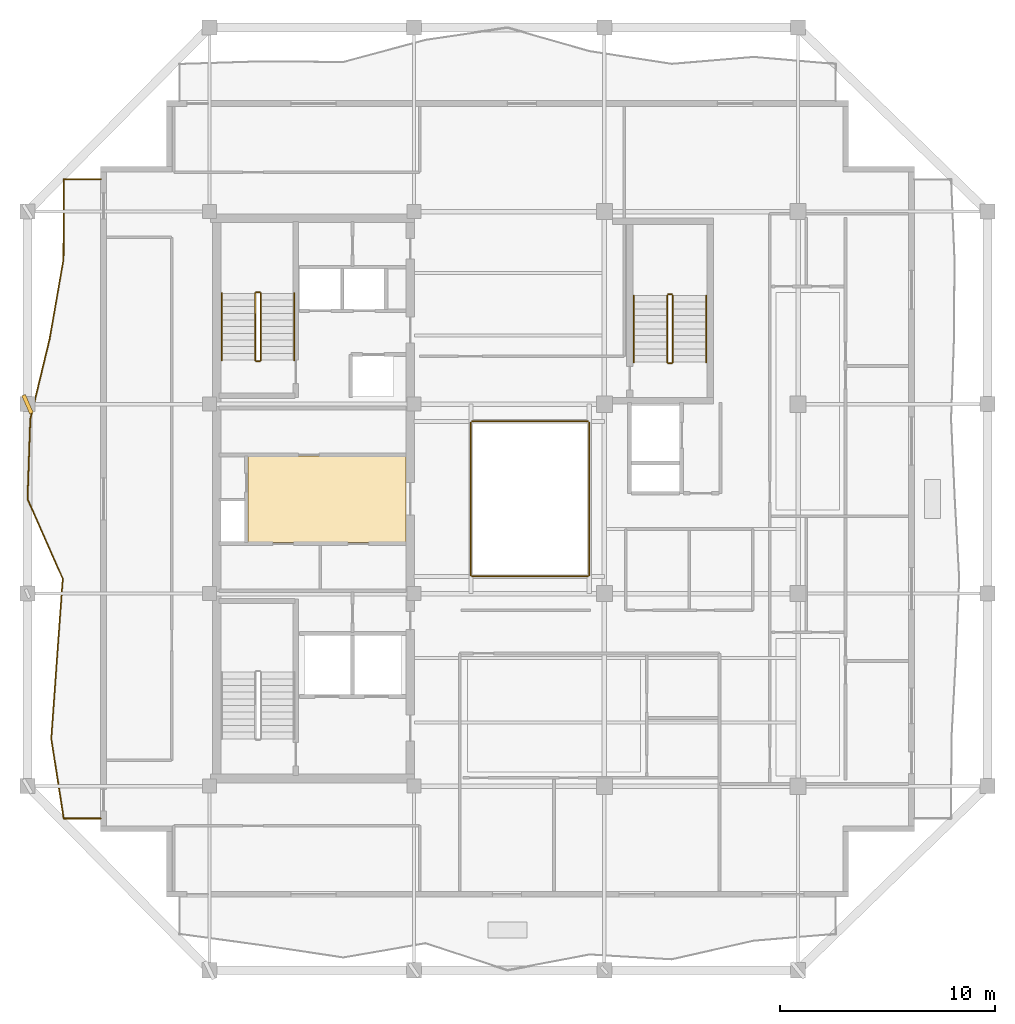
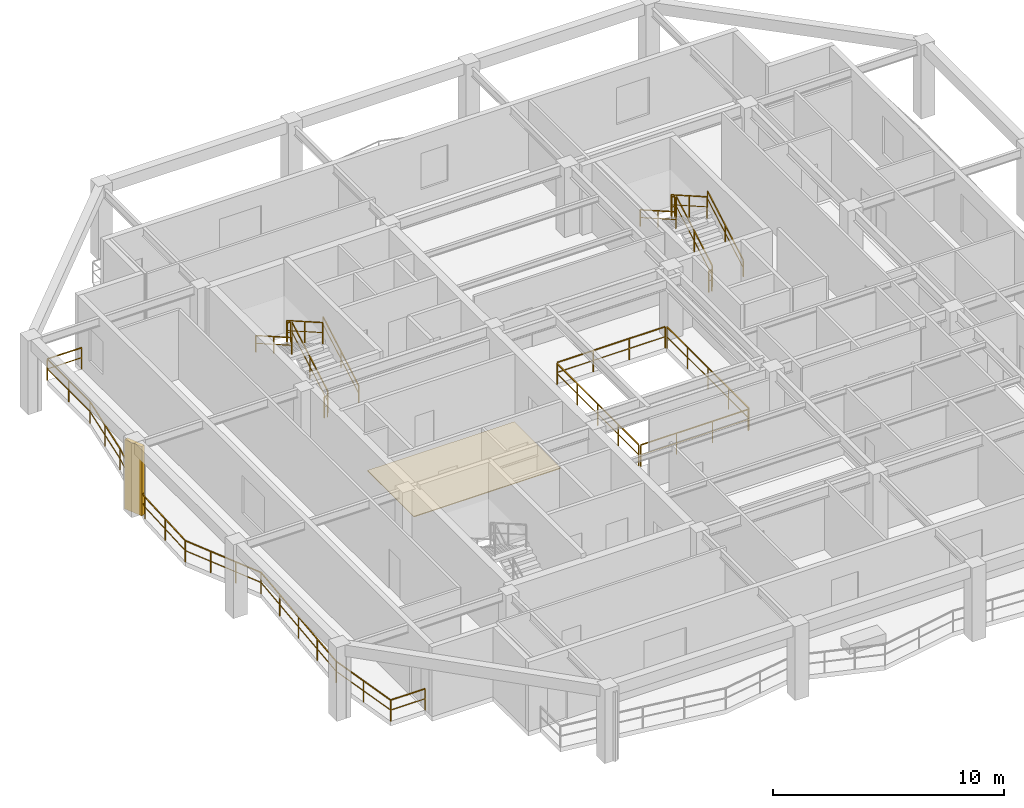
# One storey, part 8 of 10: 17 railings, 1 covering, 1 shading device.
"""IFC4 building model written with IfcOpenShell, lengths in metres."""

from ifc_helpers import new_model, si_unit, direction, frame, origin, origin_2d, place, context, subcontext, project, spatial, polyline, rectangle, outline, extrude, material, layer, layer_set, type_object, element, save


model = new_model("IFC4")

# Units and contexts
model_context = context("Model", 3, precision=1e-05, world=origin(), true_north=direction((0.0, 1.0)))
body_context = subcontext(model_context, "Body", "Model", "MODEL_VIEW")
ifc_project = project(units=[si_unit("LENGTHUNIT", "METRE"), si_unit("AREAUNIT", "SQUARE_METRE"), si_unit("VOLUMEUNIT", "CUBIC_METRE"), si_unit("PLANEANGLEUNIT", "RADIAN"), si_unit("MASSUNIT", "GRAM", prefix="KILO")], contexts=[model_context])

# Site, building, storey
site_placement = place(None, origin())
site = spatial("IfcSite", under=ifc_project, at=site_placement, CompositionType="ELEMENT")
building_placement = place(site_placement, origin())
building = spatial("IfcBuilding", under=site, at=building_placement, Name="Kundavana Baori Tower", CompositionType="ELEMENT")
storey_placement = place(building_placement, frame((0.0, 0.0, 272.60009765625)))
storey = spatial("IfcBuildingStorey", under=building, at=storey_placement, Name="L67", CompositionType="ELEMENT", Elevation=272.60009765625)

# Covering
ifc_material_1 = material(Name="Honed Kota Stone and Terrazzo Flooring", Category="masonry")
ifc_layer = layer(ifc_material_1, 0.0400390625, Name="COV-FLR-TERR-40")
ifc_layer_set = layer_set([ifc_layer], Name="Honed Kota Stone and Terrazzo Flooring")
covering_type = type_object("IfcCoveringType", Name="COV-FLR-TERR-40", PredefinedType="FLOORING", material=ifc_layer_set)
covering_placement = place(storey_placement, origin())
element("IfcCovering", 1, at=covering_placement, inside=storey, type_object=covering_type, Name="L67 Core Lift Lobby Kota Stone Flooring", PredefinedType="FLOORING", context=body_context, shape_type="SweptSolid", body=[
    extrude(outline(polyline([(17.25, 26.580078125), (24.580078125, 26.580078125), (24.580078125, 30.60009765625), (17.25, 30.60009765625), (17.25, 26.580078125)])), origin(), (0.0, 0.0, 1.0), 0.039794921875),
])

# Railings
ifc_material_2 = material(Name="Architectural Patinated Bronze Metalwork")
railing_type_1 = type_object("IfcRailingType", Name="RL-BAL-1150", PredefinedType="BALUSTRADE", material=ifc_material_2)
railing_1_placement = place(storey_placement, frame((10.39990234375, 13.75, 0.0)))
element("IfcRailing", 2, at=railing_1_placement, inside=storey, type_object=railing_type_1, Name="L67 Loggia Balcony Balustrade W", PredefinedType="BALUSTRADE", context=body_context, shape_type="SweptSolid", body=[
    extrude(rectangle(XDim=0.048095703125, YDim=0.048095703125, at=origin_2d()), frame((0.0, 0.0, 1.1259765625), z_axis=(-1.0, 0.0, 0.0), x_axis=(0.0, -1.0, 0.0)), (0.0, 0.0, 1.0), 1.719970703125),
    extrude(rectangle(XDim=0.03125, YDim=0.03125, at=origin_2d()), frame((0.0, 0.0, 0.597900390625), z_axis=(-1.0, 0.0, 0.0), x_axis=(0.0, -1.0, 0.0)), (0.0, 0.0, 1.0), 1.719970703125),
    extrude(rectangle(XDim=0.048095703125, YDim=0.048095703125, at=origin_2d()), frame((-1.719970703125, 0.0, 1.1259765625), z_axis=(-0.154337233035, 0.988018227817, 0.0), x_axis=(-0.988018227817, -0.154337233035, 0.0)), (0.0, 0.0, 1.0), 3.7568359375),
    extrude(rectangle(XDim=0.03125, YDim=0.03125, at=origin_2d()), frame((-1.719970703125, 0.0, 0.597900390625), z_axis=(-0.154337233035, 0.988018227817, 0.0), x_axis=(-0.988018227817, -0.154337233035, 0.0)), (0.0, 0.0, 1.0), 3.7568359375),
    extrude(rectangle(XDim=0.048095703125, YDim=0.048095703125, at=origin_2d()), frame((-2.2998046875, 3.7119140625, 1.1259765625), z_axis=(0.071158494842, 0.997465021247, 0.0), x_axis=(-0.997465021247, 0.071158494842, 0.0)), (0.0, 0.0, 1.0), 3.72265625),
    extrude(rectangle(XDim=0.03125, YDim=0.03125, at=origin_2d()), frame((-2.2998046875, 3.7119140625, 0.597900390625), z_axis=(0.071158494842, 0.997465021247, 0.0), x_axis=(-0.997465021247, 0.071158494842, 0.0)), (0.0, 0.0, 1.0), 3.72265625),
    extrude(rectangle(XDim=0.048095703125, YDim=0.048095703125, at=origin_2d()), frame((-2.034912109375, 7.425048828125, 1.1259765625), z_axis=(0.072794262627, 0.997346978403, 0.0), x_axis=(-0.997346978403, 0.072794262627, 0.0)), (0.0, 0.0, 1.0), 3.72265625),
    extrude(rectangle(XDim=0.03125, YDim=0.03125, at=origin_2d()), frame((-2.034912109375, 7.425048828125, 0.597900390625), z_axis=(0.072794262627, 0.997346978403, 0.0), x_axis=(-0.997346978403, 0.072794262627, 0.0)), (0.0, 0.0, 1.0), 3.72265625),
    extrude(rectangle(XDim=0.048095703125, YDim=0.048095703125, at=origin_2d()), frame((-1.763916015625, 11.137939453125, 1.1259765625), z_axis=(-0.403283089955, 0.915075269776, 0.0), x_axis=(-0.915075269776, -0.403283089955, 0.0)), (0.0, 0.0, 1.0), 4.056640625),
    extrude(rectangle(XDim=0.03125, YDim=0.03125, at=origin_2d()), frame((-1.763916015625, 11.137939453125, 0.597900390625), z_axis=(-0.403283089955, 0.915075269776, 0.0), x_axis=(-0.915075269776, -0.403283089955, 0.0)), (0.0, 0.0, 1.0), 4.056640625),
    extrude(rectangle(XDim=0.048095703125, YDim=0.048095703125, at=origin_2d()), frame((-3.39990234375, 14.85009765625, 1.1259765625), z_axis=(0.034706781121, 0.999397538192, 0.0), x_axis=(-0.999397538192, 0.034706781121, 0.0)), (0.0, 0.0, 1.0), 3.714111328125),
    extrude(rectangle(XDim=0.03125, YDim=0.03125, at=origin_2d()), frame((-3.39990234375, 14.85009765625, 0.597900390625), z_axis=(0.034706781121, 0.999397538192, 0.0), x_axis=(-0.999397538192, 0.034706781121, 0.0)), (0.0, 0.0, 1.0), 3.714111328125),
    extrude(rectangle(XDim=0.048095703125, YDim=0.048095703125, at=origin_2d()), frame((-3.27099609375, 18.56201171875, 1.1259765625), z_axis=(0.234344748851, 0.972153557153, 0.0), x_axis=(-0.972153557153, 0.234344748851, 0.0)), (0.0, 0.0, 1.0), 3.8193359375),
    extrude(rectangle(XDim=0.03125, YDim=0.03125, at=origin_2d()), frame((-3.27099609375, 18.56201171875, 0.597900390625), z_axis=(0.234344748851, 0.972153557153, 0.0), x_axis=(-0.972153557153, 0.234344748851, 0.0)), (0.0, 0.0, 1.0), 3.8193359375),
    extrude(rectangle(XDim=0.048095703125, YDim=0.048095703125, at=origin_2d()), frame((-2.3759765625, 22.27490234375, 1.1259765625), z_axis=(0.171401316496, 0.985201293495, 0.0), x_axis=(-0.985201293495, 0.171401316496, 0.0)), (0.0, 0.0, 1.0), 3.768798828125),
    extrude(rectangle(XDim=0.03125, YDim=0.03125, at=origin_2d()), frame((-2.3759765625, 22.27490234375, 0.597900390625), z_axis=(0.171401316496, 0.985201293495, 0.0), x_axis=(-0.985201293495, 0.171401316496, 0.0)), (0.0, 0.0, 1.0), 3.768798828125),
    extrude(rectangle(XDim=0.048095703125, YDim=0.048095703125, at=origin_2d()), frame((-1.72998046875, 25.988037109375, 1.1259765625), z_axis=(0.002696648969, 0.999996364036, 0.0), x_axis=(-0.999996364036, 0.002696648969, 0.0)), (0.0, 0.0, 1.0), 3.7119140625),
    extrude(rectangle(XDim=0.03125, YDim=0.03125, at=origin_2d()), frame((-1.72998046875, 25.988037109375, 0.597900390625), z_axis=(0.002696648969, 0.999996364036, 0.0), x_axis=(-0.999996364036, 0.002696648969, 0.0)), (0.0, 0.0, 1.0), 3.7119140625),
    extrude(rectangle(XDim=0.048095703125, YDim=0.048095703125, at=origin_2d()), frame((-1.719970703125, 29.699951171875, 1.1259765625), z_axis=(1.0, 0.0, 0.0), x_axis=(0.0, 1.0, 0.0)), (0.0, 0.0, 1.0), 1.719970703125),
    extrude(rectangle(XDim=0.03125, YDim=0.03125, at=origin_2d()), frame((-1.719970703125, 29.699951171875, 0.597900390625), z_axis=(1.0, 0.0, 0.0), x_axis=(0.0, 1.0, 0.0)), (0.0, 0.0, 1.0), 1.719970703125),
    extrude(rectangle(XDim=0.0419921875, YDim=0.0419921875, at=origin_2d()), origin(), (0.0, 0.0, 1.0), 1.101806640625),
    extrude(rectangle(XDim=0.0419921875, YDim=0.0419921875, at=origin_2d()), frame((-1.719970703125, 0.0, 0.0)), (0.0, 0.0, 1.0), 1.101806640625),
    extrude(rectangle(XDim=0.0419921875, YDim=0.0419921875, at=origin_2d()), frame((-2.009765625, 1.85595703125, 0.0)), (0.0, 0.0, 1.0), 1.101806640625),
    extrude(rectangle(XDim=0.0419921875, YDim=0.0419921875, at=origin_2d()), frame((-2.2998046875, 3.7119140625, 0.0)), (0.0, 0.0, 1.0), 1.101806640625),
    extrude(rectangle(XDim=0.0419921875, YDim=0.0419921875, at=origin_2d()), frame((-2.16748046875, 5.568359375, 0.0)), (0.0, 0.0, 1.0), 1.101806640625),
    extrude(rectangle(XDim=0.0419921875, YDim=0.0419921875, at=origin_2d()), frame((-2.034912109375, 7.425048828125, 0.0)), (0.0, 0.0, 1.0), 1.101806640625),
    extrude(rectangle(XDim=0.0419921875, YDim=0.0419921875, at=origin_2d()), frame((-1.8994140625, 9.281494140625, 0.0)), (0.0, 0.0, 1.0), 1.101806640625),
    extrude(rectangle(XDim=0.0419921875, YDim=0.0419921875, at=origin_2d()), frame((-1.763916015625, 11.137939453125, 0.0)), (0.0, 0.0, 1.0), 1.101806640625),
    extrude(rectangle(XDim=0.0419921875, YDim=0.0419921875, at=origin_2d()), frame((-2.309326171875, 12.375244140625, 0.0)), (0.0, 0.0, 1.0), 1.101806640625),
    extrude(rectangle(XDim=0.0419921875, YDim=0.0419921875, at=origin_2d()), frame((-2.8544921875, 13.61279296875, 0.0)), (0.0, 0.0, 1.0), 1.101806640625),
    extrude(rectangle(XDim=0.0419921875, YDim=0.0419921875, at=origin_2d()), frame((-3.39990234375, 14.85009765625, 0.0)), (0.0, 0.0, 1.0), 1.101806640625),
    extrude(rectangle(XDim=0.0419921875, YDim=0.0419921875, at=origin_2d()), frame((-3.33544921875, 16.7060546875, 0.0)), (0.0, 0.0, 1.0), 1.101806640625),
    extrude(rectangle(XDim=0.0419921875, YDim=0.0419921875, at=origin_2d()), frame((-3.27099609375, 18.56201171875, 0.0)), (0.0, 0.0, 1.0), 1.101806640625),
    extrude(rectangle(XDim=0.0419921875, YDim=0.0419921875, at=origin_2d()), frame((-2.823486328125, 20.41845703125, 0.0)), (0.0, 0.0, 1.0), 1.101806640625),
    extrude(rectangle(XDim=0.0419921875, YDim=0.0419921875, at=origin_2d()), frame((-2.3759765625, 22.27490234375, 0.0)), (0.0, 0.0, 1.0), 1.101806640625),
    extrude(rectangle(XDim=0.0419921875, YDim=0.0419921875, at=origin_2d()), frame((-2.052978515625, 24.13134765625, 0.0)), (0.0, 0.0, 1.0), 1.101806640625),
    extrude(rectangle(XDim=0.0419921875, YDim=0.0419921875, at=origin_2d()), frame((-1.72998046875, 25.988037109375, 0.0)), (0.0, 0.0, 1.0), 1.101806640625),
    extrude(rectangle(XDim=0.0419921875, YDim=0.0419921875, at=origin_2d()), frame((-1.72509765625, 27.843994140625, 0.0)), (0.0, 0.0, 1.0), 1.101806640625),
    extrude(rectangle(XDim=0.0419921875, YDim=0.0419921875, at=origin_2d()), frame((-1.719970703125, 29.699951171875, 0.0)), (0.0, 0.0, 1.0), 1.101806640625),
    extrude(rectangle(XDim=0.0419921875, YDim=0.0419921875, at=origin_2d()), frame((0.0, 29.699951171875, 0.0)), (0.0, 0.0, 1.0), 1.101806640625),
])
ifc_material_3 = material(Name="Architectural Patinated Bronze Metalwork")
railing_type_2 = type_object("IfcRailingType", Name="RL-GRD-1150", PredefinedType="GUARDRAIL", material=ifc_material_3)
railing_2_placement = place(storey_placement, frame((17.840087890625, 35.050048828125, 0.17724609375)))
element("IfcRailing", 3, at=railing_2_placement, inside=storey, type_object=railing_type_2, Name="L67 ST2 stair guard 1", PredefinedType="GUARDRAIL", context=body_context, shape_type="SweptSolid", body=[
    extrude(rectangle(XDim=0.048095703125, YDim=0.048095703125, at=origin_2d()), frame((0.0, 0.0, 1.1259765625), z_axis=(0.0, 0.868079009454, 0.496426060301), x_axis=(-1.0, 0.0, 0.0)), (0.0, 0.0, 1.0), 3.571044921875),
    extrude(rectangle(XDim=0.03125, YDim=0.03125, at=origin_2d()), frame((0.0, 0.0, 0.597900390625), z_axis=(0.0, 0.868079009454, 0.496426060301), x_axis=(-1.0, 0.0, 0.0)), (0.0, 0.0, 1.0), 3.571044921875),
    extrude(rectangle(XDim=0.0419921875, YDim=0.0419921875, at=origin_2d()), origin(), (0.0, 0.0, 1.0), 1.101806640625),
    extrude(rectangle(XDim=0.0419921875, YDim=0.0419921875, at=origin_2d()), frame((0.0, 1.5498046875, 0.88623046875)), (0.0, 0.0, 1.0), 1.101806640625),
    extrude(rectangle(XDim=0.0419921875, YDim=0.0419921875, at=origin_2d()), frame((0.0, 3.099853515625, 1.772705078125)), (0.0, 0.0, 1.0), 1.101806640625),
])
railing_3_placement = place(storey_placement, frame((17.7900390625, 38.199951171875, 1.949951171875)))
element("IfcRailing", 4, at=railing_3_placement, inside=storey, type_object=railing_type_2, Name="L67 ST2 stair guard 2", PredefinedType="GUARDRAIL", context=body_context, shape_type="SweptSolid", body=[
    extrude(rectangle(XDim=0.048095703125, YDim=0.048095703125, at=origin_2d()), frame((0.0, 0.0, 1.1259765625), z_axis=(-1.0, 0.0, 0.0), x_axis=(0.0, -1.0, 0.0)), (0.0, 0.0, 1.0), 0.16015625),
    extrude(rectangle(XDim=0.03125, YDim=0.03125, at=origin_2d()), frame((0.0, 0.0, 0.597900390625), z_axis=(-1.0, 0.0, 0.0), x_axis=(0.0, -1.0, 0.0)), (0.0, 0.0, 1.0), 0.16015625),
    extrude(rectangle(XDim=0.0419921875, YDim=0.0419921875, at=origin_2d()), origin(), (0.0, 0.0, 1.0), 1.101806640625),
    extrude(rectangle(XDim=0.0419921875, YDim=0.0419921875, at=origin_2d()), frame((-0.16015625, 0.0, 0.0)), (0.0, 0.0, 1.0), 1.101806640625),
])
railing_4_placement = place(storey_placement, frame((17.580078125, 38.14990234375, 2.127197265625)))
element("IfcRailing", 5, at=railing_4_placement, inside=storey, type_object=railing_type_2, Name="L67 ST2 stair guard 3", PredefinedType="GUARDRAIL", context=body_context, shape_type="SweptSolid", body=[
    extrude(rectangle(XDim=0.048095703125, YDim=0.048095703125, at=origin_2d()), frame((0.0, 0.0, 1.1259765625), z_axis=(0.0, -0.868079009454, 0.496426060301), x_axis=(1.0, 0.0, 0.0)), (0.0, 0.0, 1.0), 3.571044921875),
    extrude(rectangle(XDim=0.03125, YDim=0.03125, at=origin_2d()), frame((0.0, 0.0, 0.597900390625), z_axis=(0.0, -0.868079009454, 0.496426060301), x_axis=(1.0, 0.0, 0.0)), (0.0, 0.0, 1.0), 3.571044921875),
    extrude(rectangle(XDim=0.0419921875, YDim=0.0419921875, at=origin_2d()), origin(), (0.0, 0.0, 1.0), 1.101806640625),
    extrude(rectangle(XDim=0.0419921875, YDim=0.0419921875, at=origin_2d()), frame((0.0, -1.5498046875, 0.88623046875)), (0.0, 0.0, 1.0), 1.101806640625),
    extrude(rectangle(XDim=0.0419921875, YDim=0.0419921875, at=origin_2d()), frame((0.0, -3.099853515625, 1.772705078125)), (0.0, 0.0, 1.0), 1.101806640625),
])
railing_5_placement = place(storey_placement, frame((17.7900390625, 35.0, 0.0)))
element("IfcRailing", 6, at=railing_5_placement, inside=storey, type_object=railing_type_2, Name="L67 ST2 stair guard 4", PredefinedType="GUARDRAIL", context=body_context, shape_type="SweptSolid", body=[
    extrude(rectangle(XDim=0.048095703125, YDim=0.048095703125, at=origin_2d()), frame((0.0, 0.0, 1.1259765625), z_axis=(-1.0, 0.0, 0.0), x_axis=(0.0, -1.0, 0.0)), (0.0, 0.0, 1.0), 0.16015625),
    extrude(rectangle(XDim=0.03125, YDim=0.03125, at=origin_2d()), frame((0.0, 0.0, 0.597900390625), z_axis=(-1.0, 0.0, 0.0), x_axis=(0.0, -1.0, 0.0)), (0.0, 0.0, 1.0), 0.16015625),
    extrude(rectangle(XDim=0.0419921875, YDim=0.0419921875, at=origin_2d()), origin(), (0.0, 0.0, 1.0), 1.101806640625),
    extrude(rectangle(XDim=0.0419921875, YDim=0.0419921875, at=origin_2d()), frame((-0.16015625, 0.0, 0.0)), (0.0, 0.0, 1.0), 1.101806640625),
])
railing_6_placement = place(storey_placement, frame((36.97998046875, 34.949951171875, 0.17724609375)))
element("IfcRailing", 7, at=railing_6_placement, inside=storey, type_object=railing_type_2, Name="L67 ST3 stair guard 1", PredefinedType="GUARDRAIL", context=body_context, shape_type="SweptSolid", body=[
    extrude(rectangle(XDim=0.048095703125, YDim=0.048095703125, at=origin_2d()), frame((0.0, 0.0, 1.1259765625), z_axis=(0.0, 0.868095856688, 0.496396599103), x_axis=(-1.0, 0.0, 0.0)), (0.0, 0.0, 1.0), 3.571044921875),
    extrude(rectangle(XDim=0.03125, YDim=0.03125, at=origin_2d()), frame((0.0, 0.0, 0.597900390625), z_axis=(0.0, 0.868095856688, 0.496396599103), x_axis=(-1.0, 0.0, 0.0)), (0.0, 0.0, 1.0), 3.571044921875),
    extrude(rectangle(XDim=0.0419921875, YDim=0.0419921875, at=origin_2d()), origin(), (0.0, 0.0, 1.0), 1.101806640625),
    extrude(rectangle(XDim=0.0419921875, YDim=0.0419921875, at=origin_2d()), frame((0.0, 1.550048828125, 0.88623046875)), (0.0, 0.0, 1.0), 1.101806640625),
    extrude(rectangle(XDim=0.0419921875, YDim=0.0419921875, at=origin_2d()), frame((0.0, 3.10009765625, 1.772705078125)), (0.0, 0.0, 1.0), 1.101806640625),
])
railing_7_placement = place(storey_placement, frame((36.929931640625, 38.10009765625, 1.949951171875)))
element("IfcRailing", 8, at=railing_7_placement, inside=storey, type_object=railing_type_2, Name="L67 ST3 stair guard 2", PredefinedType="GUARDRAIL", context=body_context, shape_type="SweptSolid", body=[
    extrude(rectangle(XDim=0.048095703125, YDim=0.048095703125, at=origin_2d()), frame((0.0, 0.0, 1.1259765625), z_axis=(-1.0, 0.0, 0.0), x_axis=(0.0, -1.0, 0.0)), (0.0, 0.0, 1.0), 0.159912109375),
    extrude(rectangle(XDim=0.03125, YDim=0.03125, at=origin_2d()), frame((0.0, 0.0, 0.597900390625), z_axis=(-1.0, 0.0, 0.0), x_axis=(0.0, -1.0, 0.0)), (0.0, 0.0, 1.0), 0.159912109375),
    extrude(rectangle(XDim=0.0419921875, YDim=0.0419921875, at=origin_2d()), origin(), (0.0, 0.0, 1.0), 1.101806640625),
    extrude(rectangle(XDim=0.0419921875, YDim=0.0419921875, at=origin_2d()), frame((-0.159912109375, 0.0, 0.0)), (0.0, 0.0, 1.0), 1.101806640625),
])
railing_8_placement = place(storey_placement, frame((36.719970703125, 38.050048828125, 2.127197265625)))
element("IfcRailing", 9, at=railing_8_placement, inside=storey, type_object=railing_type_2, Name="L67 ST3 stair guard 3", PredefinedType="GUARDRAIL", context=body_context, shape_type="SweptSolid", body=[
    extrude(rectangle(XDim=0.048095703125, YDim=0.048095703125, at=origin_2d()), frame((0.0, 0.0, 1.1259765625), z_axis=(0.0, -0.868095856688, 0.496396599103), x_axis=(1.0, 0.0, 0.0)), (0.0, 0.0, 1.0), 3.571044921875),
    extrude(rectangle(XDim=0.03125, YDim=0.03125, at=origin_2d()), frame((0.0, 0.0, 0.597900390625), z_axis=(0.0, -0.868095856688, 0.496396599103), x_axis=(1.0, 0.0, 0.0)), (0.0, 0.0, 1.0), 3.571044921875),
    extrude(rectangle(XDim=0.0419921875, YDim=0.0419921875, at=origin_2d()), origin(), (0.0, 0.0, 1.0), 1.101806640625),
    extrude(rectangle(XDim=0.0419921875, YDim=0.0419921875, at=origin_2d()), frame((0.0, -1.550048828125, 0.88623046875)), (0.0, 0.0, 1.0), 1.101806640625),
    extrude(rectangle(XDim=0.0419921875, YDim=0.0419921875, at=origin_2d()), frame((0.0, -3.10009765625, 1.772705078125)), (0.0, 0.0, 1.0), 1.101806640625),
])
railing_9_placement = place(storey_placement, frame((36.929931640625, 34.89990234375, 0.0)))
element("IfcRailing", 10, at=railing_9_placement, inside=storey, type_object=railing_type_2, Name="L67 ST3 stair guard 4", PredefinedType="GUARDRAIL", context=body_context, shape_type="SweptSolid", body=[
    extrude(rectangle(XDim=0.048095703125, YDim=0.048095703125, at=origin_2d()), frame((0.0, 0.0, 1.1259765625), z_axis=(-1.0, 0.0, 0.0), x_axis=(0.0, -1.0, 0.0)), (0.0, 0.0, 1.0), 0.159912109375),
    extrude(rectangle(XDim=0.03125, YDim=0.03125, at=origin_2d()), frame((0.0, 0.0, 0.597900390625), z_axis=(-1.0, 0.0, 0.0), x_axis=(0.0, -1.0, 0.0)), (0.0, 0.0, 1.0), 0.159912109375),
    extrude(rectangle(XDim=0.0419921875, YDim=0.0419921875, at=origin_2d()), origin(), (0.0, 0.0, 1.0), 1.101806640625),
    extrude(rectangle(XDim=0.0419921875, YDim=0.0419921875, at=origin_2d()), frame((-0.159912109375, 0.0, 0.0)), (0.0, 0.0, 1.0), 1.101806640625),
])
railing_10_placement = place(storey_placement, frame((27.659912109375, 25.0, 0.0)))
element("IfcRailing", 11, at=railing_10_placement, inside=storey, type_object=railing_type_2, Name="L67 Atrium Void Perimeter Guardrail S", PredefinedType="GUARDRAIL", context=body_context, shape_type="SweptSolid", body=[
    extrude(rectangle(XDim=0.048095703125, YDim=0.048095703125, at=origin_2d()), frame((0.0, 0.0, 1.1259765625), z_axis=(1.0, 0.0, 0.0), x_axis=(0.0, 1.0, 0.0)), (0.0, 0.0, 1.0), 5.380126953125),
    extrude(rectangle(XDim=0.03125, YDim=0.03125, at=origin_2d()), frame((0.0, 0.0, 0.597900390625), z_axis=(1.0, 0.0, 0.0), x_axis=(0.0, 1.0, 0.0)), (0.0, 0.0, 1.0), 5.380126953125),
    extrude(rectangle(XDim=0.0419921875, YDim=0.0419921875, at=origin_2d()), origin(), (0.0, 0.0, 1.0), 1.101806640625),
    extrude(rectangle(XDim=0.0419921875, YDim=0.0419921875, at=origin_2d()), frame((1.79345703125, 0.0, 0.0)), (0.0, 0.0, 1.0), 1.101806640625),
    extrude(rectangle(XDim=0.0419921875, YDim=0.0419921875, at=origin_2d()), frame((3.586669921875, 0.0, 0.0)), (0.0, 0.0, 1.0), 1.101806640625),
    extrude(rectangle(XDim=0.0419921875, YDim=0.0419921875, at=origin_2d()), frame((5.380126953125, 0.0, 0.0)), (0.0, 0.0, 1.0), 1.101806640625),
])
railing_11_placement = place(storey_placement, frame((33.10009765625, 25.06005859375, 0.0)))
element("IfcRailing", 12, at=railing_11_placement, inside=storey, type_object=railing_type_2, Name="L67 Atrium Void Perimeter Guardrail E", PredefinedType="GUARDRAIL", context=body_context, shape_type="SweptSolid", body=[
    extrude(rectangle(XDim=0.048095703125, YDim=0.048095703125, at=origin_2d()), frame((0.0, 0.0, 1.1259765625), z_axis=(0.0, 1.0, 0.0), x_axis=(-1.0, 0.0, 0.0)), (0.0, 0.0, 1.0), 7.079833984375),
    extrude(rectangle(XDim=0.03125, YDim=0.03125, at=origin_2d()), frame((0.0, 0.0, 0.597900390625), z_axis=(0.0, 1.0, 0.0), x_axis=(-1.0, 0.0, 0.0)), (0.0, 0.0, 1.0), 7.079833984375),
    extrude(rectangle(XDim=0.0419921875, YDim=0.0419921875, at=origin_2d()), origin(), (0.0, 0.0, 1.0), 1.101806640625),
    extrude(rectangle(XDim=0.0419921875, YDim=0.0419921875, at=origin_2d()), frame((0.0, 1.77001953125, 0.0)), (0.0, 0.0, 1.0), 1.101806640625),
    extrude(rectangle(XDim=0.0419921875, YDim=0.0419921875, at=origin_2d()), frame((0.0, 3.5400390625, 0.0)), (0.0, 0.0, 1.0), 1.101806640625),
    extrude(rectangle(XDim=0.0419921875, YDim=0.0419921875, at=origin_2d()), frame((0.0, 5.309814453125, 0.0)), (0.0, 0.0, 1.0), 1.101806640625),
    extrude(rectangle(XDim=0.0419921875, YDim=0.0419921875, at=origin_2d()), frame((0.0, 7.079833984375, 0.0)), (0.0, 0.0, 1.0), 1.101806640625),
])
railing_12_placement = place(storey_placement, frame((33.0400390625, 32.199951171875, 0.0)))
element("IfcRailing", 13, at=railing_12_placement, inside=storey, type_object=railing_type_2, Name="L67 Atrium Void Perimeter Guardrail N", PredefinedType="GUARDRAIL", context=body_context, shape_type="SweptSolid", body=[
    extrude(rectangle(XDim=0.048095703125, YDim=0.048095703125, at=origin_2d()), frame((0.0, 0.0, 1.1259765625), z_axis=(-1.0, 0.0, 0.0), x_axis=(0.0, -1.0, 0.0)), (0.0, 0.0, 1.0), 5.380126953125),
    extrude(rectangle(XDim=0.03125, YDim=0.03125, at=origin_2d()), frame((0.0, 0.0, 0.597900390625), z_axis=(-1.0, 0.0, 0.0), x_axis=(0.0, -1.0, 0.0)), (0.0, 0.0, 1.0), 5.380126953125),
    extrude(rectangle(XDim=0.0419921875, YDim=0.0419921875, at=origin_2d()), origin(), (0.0, 0.0, 1.0), 1.101806640625),
    extrude(rectangle(XDim=0.0419921875, YDim=0.0419921875, at=origin_2d()), frame((-1.79345703125, 0.0, 0.0)), (0.0, 0.0, 1.0), 1.101806640625),
    extrude(rectangle(XDim=0.0419921875, YDim=0.0419921875, at=origin_2d()), frame((-3.586669921875, 0.0, 0.0)), (0.0, 0.0, 1.0), 1.101806640625),
    extrude(rectangle(XDim=0.0419921875, YDim=0.0419921875, at=origin_2d()), frame((-5.380126953125, 0.0, 0.0)), (0.0, 0.0, 1.0), 1.101806640625),
])
railing_13_placement = place(storey_placement, frame((27.60009765625, 32.139892578125, 0.0)))
element("IfcRailing", 14, at=railing_13_placement, inside=storey, type_object=railing_type_2, Name="L67 Atrium Void Perimeter Guardrail W", PredefinedType="GUARDRAIL", context=body_context, shape_type="SweptSolid", body=[
    extrude(rectangle(XDim=0.048095703125, YDim=0.048095703125, at=origin_2d()), frame((0.0, 0.0, 1.1259765625), z_axis=(0.0, -1.0, 0.0), x_axis=(1.0, 0.0, 0.0)), (0.0, 0.0, 1.0), 7.079833984375),
    extrude(rectangle(XDim=0.03125, YDim=0.03125, at=origin_2d()), frame((0.0, 0.0, 0.597900390625), z_axis=(0.0, -1.0, 0.0), x_axis=(1.0, 0.0, 0.0)), (0.0, 0.0, 1.0), 7.079833984375),
    extrude(rectangle(XDim=0.0419921875, YDim=0.0419921875, at=origin_2d()), origin(), (0.0, 0.0, 1.0), 1.101806640625),
    extrude(rectangle(XDim=0.0419921875, YDim=0.0419921875, at=origin_2d()), frame((0.0, -1.77001953125, 0.0)), (0.0, 0.0, 1.0), 1.101806640625),
    extrude(rectangle(XDim=0.0419921875, YDim=0.0419921875, at=origin_2d()), frame((0.0, -3.5400390625, 0.0)), (0.0, 0.0, 1.0), 1.101806640625),
    extrude(rectangle(XDim=0.0419921875, YDim=0.0419921875, at=origin_2d()), frame((0.0, -5.309814453125, 0.0)), (0.0, 0.0, 1.0), 1.101806640625),
    extrude(rectangle(XDim=0.0419921875, YDim=0.0419921875, at=origin_2d()), frame((0.0, -7.079833984375, 0.0)), (0.0, 0.0, 1.0), 1.101806640625),
])
ifc_material_4 = material(Name="Architectural Patinated Bronze Metalwork")
railing_type_3 = type_object("IfcRailingType", Name="RL-HND-920", PredefinedType="HANDRAIL", material=ifc_material_4)
railing_14_placement = place(storey_placement, frame((19.389892578125, 35.050048828125, 0.17724609375)))
element("IfcRailing", 15, at=railing_14_placement, inside=storey, type_object=railing_type_3, Name="L67 ST2 stair handrail 1", PredefinedType="HANDRAIL", context=body_context, shape_type="SweptSolid", body=[
    extrude(rectangle(XDim=0.048095703125, YDim=0.048095703125, at=origin_2d()), frame((0.0, 0.0, 0.8759765625), z_axis=(0.0, 0.868079009454, 0.496426060301), x_axis=(-1.0, 0.0, 0.0)), (0.0, 0.0, 1.0), 3.571044921875),
    extrude(rectangle(XDim=0.03125, YDim=0.03125, at=origin_2d()), frame((0.0, 0.0, 0.468017578125), z_axis=(0.0, 0.868079009454, 0.496426060301), x_axis=(-1.0, 0.0, 0.0)), (0.0, 0.0, 1.0), 3.571044921875),
    extrude(rectangle(XDim=0.0419921875, YDim=0.0419921875, at=origin_2d()), origin(), (0.0, 0.0, 1.0), 0.851806640625),
    extrude(rectangle(XDim=0.0419921875, YDim=0.0419921875, at=origin_2d()), frame((0.0, 1.5498046875, 0.88623046875)), (0.0, 0.0, 1.0), 0.851806640625),
    extrude(rectangle(XDim=0.0419921875, YDim=0.0419921875, at=origin_2d()), frame((0.0, 3.099853515625, 1.772705078125)), (0.0, 0.0, 1.0), 0.851806640625),
])
railing_15_placement = place(storey_placement, frame((16.030029296875, 38.14990234375, 2.127197265625)))
element("IfcRailing", 16, at=railing_15_placement, inside=storey, type_object=railing_type_3, Name="L67 ST2 stair handrail 2", PredefinedType="HANDRAIL", context=body_context, shape_type="SweptSolid", body=[
    extrude(rectangle(XDim=0.048095703125, YDim=0.048095703125, at=origin_2d()), frame((0.0, 0.0, 0.8759765625), z_axis=(0.0, -0.868079009454, 0.496426060301), x_axis=(1.0, 0.0, 0.0)), (0.0, 0.0, 1.0), 3.571044921875),
    extrude(rectangle(XDim=0.03125, YDim=0.03125, at=origin_2d()), frame((0.0, 0.0, 0.468017578125), z_axis=(0.0, -0.868079009454, 0.496426060301), x_axis=(1.0, 0.0, 0.0)), (0.0, 0.0, 1.0), 3.571044921875),
    extrude(rectangle(XDim=0.0419921875, YDim=0.0419921875, at=origin_2d()), origin(), (0.0, 0.0, 1.0), 0.851806640625),
    extrude(rectangle(XDim=0.0419921875, YDim=0.0419921875, at=origin_2d()), frame((0.0, -1.5498046875, 0.88623046875)), (0.0, 0.0, 1.0), 0.851806640625),
    extrude(rectangle(XDim=0.0419921875, YDim=0.0419921875, at=origin_2d()), frame((0.0, -3.099853515625, 1.772705078125)), (0.0, 0.0, 1.0), 0.851806640625),
])
railing_16_placement = place(storey_placement, frame((38.530029296875, 34.949951171875, 0.17724609375)))
element("IfcRailing", 17, at=railing_16_placement, inside=storey, type_object=railing_type_3, Name="L67 ST3 stair handrail 1", PredefinedType="HANDRAIL", context=body_context, shape_type="SweptSolid", body=[
    extrude(rectangle(XDim=0.048095703125, YDim=0.048095703125, at=origin_2d()), frame((0.0, 0.0, 0.8759765625), z_axis=(0.0, 0.868095856688, 0.496396599103), x_axis=(-1.0, 0.0, 0.0)), (0.0, 0.0, 1.0), 3.571044921875),
    extrude(rectangle(XDim=0.03125, YDim=0.03125, at=origin_2d()), frame((0.0, 0.0, 0.468017578125), z_axis=(0.0, 0.868095856688, 0.496396599103), x_axis=(-1.0, 0.0, 0.0)), (0.0, 0.0, 1.0), 3.571044921875),
    extrude(rectangle(XDim=0.0419921875, YDim=0.0419921875, at=origin_2d()), origin(), (0.0, 0.0, 1.0), 0.851806640625),
    extrude(rectangle(XDim=0.0419921875, YDim=0.0419921875, at=origin_2d()), frame((0.0, 1.550048828125, 0.88623046875)), (0.0, 0.0, 1.0), 0.851806640625),
    extrude(rectangle(XDim=0.0419921875, YDim=0.0419921875, at=origin_2d()), frame((0.0, 3.10009765625, 1.772705078125)), (0.0, 0.0, 1.0), 0.851806640625),
])
railing_17_placement = place(storey_placement, frame((35.169921875, 38.050048828125, 2.127197265625)))
element("IfcRailing", 18, at=railing_17_placement, inside=storey, type_object=railing_type_3, Name="L67 ST3 stair handrail 2", PredefinedType="HANDRAIL", context=body_context, shape_type="SweptSolid", body=[
    extrude(rectangle(XDim=0.048095703125, YDim=0.048095703125, at=origin_2d()), frame((0.0, 0.0, 0.8759765625), z_axis=(0.0, -0.868095856688, 0.496396599103), x_axis=(1.0, 0.0, 0.0)), (0.0, 0.0, 1.0), 3.571044921875),
    extrude(rectangle(XDim=0.03125, YDim=0.03125, at=origin_2d()), frame((0.0, 0.0, 0.468017578125), z_axis=(0.0, -0.868095856688, 0.496396599103), x_axis=(1.0, 0.0, 0.0)), (0.0, 0.0, 1.0), 3.571044921875),
    extrude(rectangle(XDim=0.0419921875, YDim=0.0419921875, at=origin_2d()), origin(), (0.0, 0.0, 1.0), 0.851806640625),
    extrude(rectangle(XDim=0.0419921875, YDim=0.0419921875, at=origin_2d()), frame((0.0, -1.550048828125, 0.88623046875)), (0.0, 0.0, 1.0), 0.851806640625),
    extrude(rectangle(XDim=0.0419921875, YDim=0.0419921875, at=origin_2d()), frame((0.0, -3.10009765625, 1.772705078125)), (0.0, 0.0, 1.0), 0.851806640625),
])

# Shading device
ifc_material_5 = material(Name="Red-Buff Dholpur Sandstone Cladding on Concrete C40/50", Category="masonry")
shading_device_type = type_object("IfcShadingDeviceType", Name="SHD-FIN-920", PredefinedType="JALOUSIE", material=ifc_material_5)
shading_device_placement = place(storey_placement, frame((7.0, 33.0, 0.0), z_axis=(0.0, 0.0, 1.0), x_axis=(0.915170838243, 0.403066169295, 0.0)))
element("IfcShadingDevice", 19, at=shading_device_placement, inside=storey, type_object=shading_device_type, Name="L67 Sweeping Dholpur Sandstone Facade Fin 7", PredefinedType="JALOUSIE", context=body_context, shape_type="SweptSolid", body=[
    extrude(rectangle(XDim=0.179931640625, YDim=0.919921875, at=origin_2d()), origin(), (0.0, 0.0, 1.0), 3.659912109375),
])

save(model, "model.ifc")
